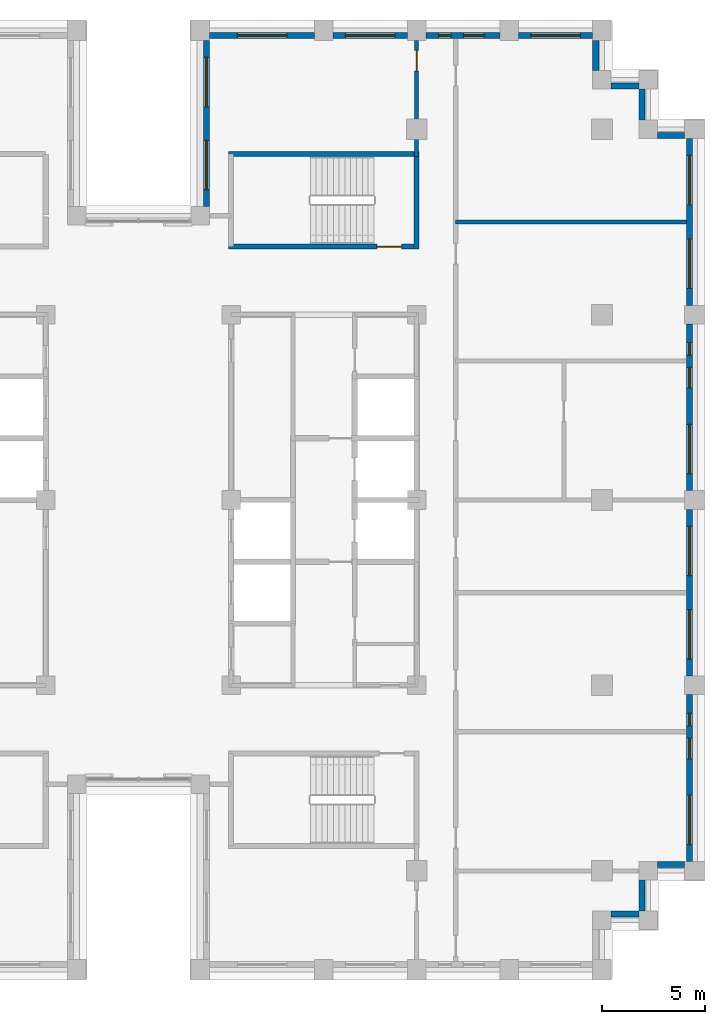
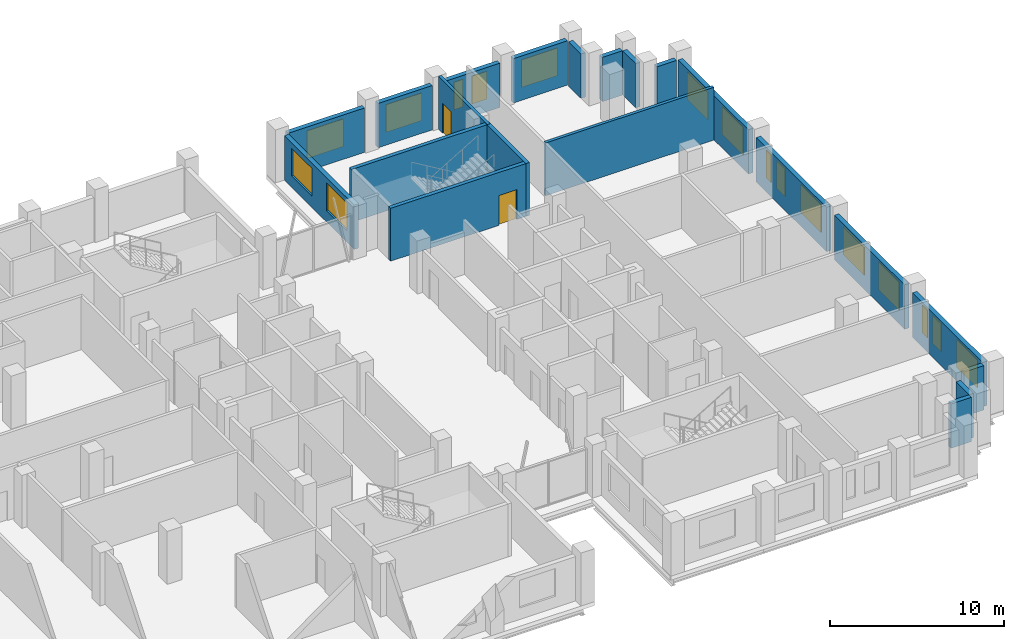
# One storey, part 11 of 15: 21 walls, 17 windows, 2 doors, 19 openings.
"""IFC4 building model written with IfcOpenShell, lengths in metres."""

from ifc_helpers import new_model, si_unit, direction, frame, frame_2d, origin, place, context, subcontext, project, spatial, rectangle, extrude, material, layer, layer_set, type_object, element, fill, save


model = new_model("IFC4")

# Units and contexts
model_context = context("Model", 3, precision=1e-05, world=origin(), true_north=direction((0.0, 1.0)))
body_context = subcontext(model_context, "Body", "Model", "MODEL_VIEW")
ifc_project = project(units=[si_unit("LENGTHUNIT", "METRE"), si_unit("AREAUNIT", "SQUARE_METRE"), si_unit("VOLUMEUNIT", "CUBIC_METRE"), si_unit("PLANEANGLEUNIT", "RADIAN"), si_unit("MASSUNIT", "GRAM", prefix="KILO")], contexts=[model_context])

# Site, building, storey
site_placement = place(None, origin())
site = spatial("IfcSite", under=ifc_project, at=site_placement, CompositionType="ELEMENT")
building_placement = place(site_placement, origin())
building = spatial("IfcBuilding", under=site, at=building_placement, Name="Corbelhall Arena Tower", CompositionType="ELEMENT")
storey_placement = place(building_placement, frame((0.0, 0.0, 228.0)))
storey = spatial("IfcBuildingStorey", under=building, at=storey_placement, Name="L48", CompositionType="ELEMENT", Elevation=228.0)

# Walls
ifc_material_1 = material(Name="Precast concrete C40/50 with granite facing", Category="masonry")
ifc_layer_1 = layer(ifc_material_1, 0.300048828125)
ifc_layer_set_1 = layer_set([ifc_layer_1], Name="EV-IW1 Infill panel 300")
wall_type_1 = type_object("IfcWallType", Name="EV-IW1 Infill panel 300", PredefinedType="SOLIDWALL", material=ifc_layer_set_1)
wall_1_placement = place(storey_placement, frame((22.949951171875, -20.10009765625, 0.0), z_axis=(0.0, 0.0, 1.0), x_axis=(1.0, 0.0, 0.0)))
element("IfcWall", 1, at=wall_1_placement, inside=storey, type_object=wall_type_1, Name="Infill panel IW1", PredefinedType="SOLIDWALL", context=body_context, shape_type="SweptSolid", body=[
    extrude(rectangle(XDim=1.35009765625, YDim=0.300048828125, at=frame_2d((0.675048828125, 0.0))), origin(), (0.0, 0.0, 1.0), 3.1201171875),
])
wall_2_placement = place(storey_placement, frame((24.449951171875, -19.949951171875, 0.0), z_axis=(0.0, 0.0, 1.0), x_axis=(0.0, 1.0, 0.0)))
element("IfcWall", 2, at=wall_2_placement, inside=storey, type_object=wall_type_1, Name="Infill panel IW1", PredefinedType="SOLIDWALL", context=body_context, shape_type="SweptSolid", body=[
    extrude(rectangle(XDim=1.5, YDim=0.300048828125, at=frame_2d((0.75, 0.0))), origin(), (0.0, 0.0, 1.0), 3.1201171875),
])
wall_3_placement = place(storey_placement, frame((25.199951171875, -17.699951171875, 0.0), z_axis=(0.0, 0.0, 1.0), x_axis=(1.0, 0.0, 0.0)))
element("IfcWall", 3, at=wall_3_placement, inside=storey, type_object=wall_type_1, Name="Infill panel IW1", PredefinedType="SOLIDWALL", context=body_context, shape_type="SweptSolid", body=[
    extrude(rectangle(XDim=1.300048828125, YDim=0.300048828125, at=frame_2d((0.64990234375, 0.0))), origin(), (0.0, 0.0, 1.0), 3.1201171875),
])

# Wall, openings, windows
wall_4_placement = place(storey_placement, frame((26.75, -17.550048828125, 0.0), z_axis=(0.0, 0.0, 1.0), x_axis=(0.0, 1.0, 0.0)))
wall_4 = element("IfcWall", 4, at=wall_4_placement, inside=storey, type_object=wall_type_1, Name="Infill panel IW1", PredefinedType="SOLIDWALL", context=body_context, shape_type="SweptSolid", body=[
    extrude(rectangle(XDim=8.10009765625, YDim=0.300048828125, at=frame_2d((4.050048828125, 0.0))), origin(), (0.0, 0.0, 1.0), 3.1201171875),
])
opening_1_placement = place(wall_4_placement, frame((0.824951171875, 0.0, 0.800048828125)))
opening_1 = element("IfcOpeningElement", 5, at=opening_1_placement, cuts=wall_4, Name="Opening WN1", PredefinedType="OPENING", context=body_context, shape_type="SweptSolid", body=[
    extrude(rectangle(XDim=2.39990234375, YDim=1.949951171875, at=frame_2d((1.199951171875, 0.97509765625))), frame((0.0, 0.14990234375, 0.0), z_axis=(0.0, -1.0, 0.0), x_axis=(1.0, 0.0, 0.0)), (0.0, 0.0, 1.0), 0.300048828125),
])
opening_2_placement = place(wall_4_placement, frame((4.987548828125, 0.0, 0.800048828125)))
opening_2 = element("IfcOpeningElement", 6, at=opening_2_placement, cuts=wall_4, Name="Opening WN6", PredefinedType="OPENING", context=body_context, shape_type="SweptSolid", body=[
    extrude(rectangle(XDim=1.0, YDim=1.949951171875, at=frame_2d((0.5, 0.97509765625))), frame((0.0, 0.14990234375, 0.0), z_axis=(0.0, -1.0, 0.0), x_axis=(1.0, 0.0, 0.0)), (0.0, 0.0, 1.0), 0.300048828125),
])
opening_3_placement = place(wall_4_placement, frame((6.58740234375, 0.0, 0.800048828125)))
opening_3 = element("IfcOpeningElement", 7, at=opening_3_placement, cuts=wall_4, Name="Opening WN5", PredefinedType="OPENING", context=body_context, shape_type="SweptSolid", body=[
    extrude(rectangle(XDim=0.60009765625, YDim=1.949951171875, at=frame_2d((0.300048828125, 0.97509765625))), frame((0.0, 0.14990234375, 0.0), z_axis=(0.0, -1.0, 0.0), x_axis=(1.0, 0.0, 0.0)), (0.0, 0.0, 1.0), 0.300048828125),
])
ifc_material_2 = material(Name="Aluminium black anodised", Category="aluminium")
window_type_1 = type_object("IfcWindowType", Name="EV-WN1 Office window", PartitioningType="SINGLE_PANEL", PredefinedType="WINDOW", material=ifc_material_2)
window_1_placement = place(opening_1_placement, origin())
window_1 = element("IfcWindow", 8, at=window_1_placement, inside=storey, type_object=window_type_1, Name="Window WN1", OverallHeight=1.949951171875, OverallWidth=2.39990234375, PartitioningType="SINGLE_PANEL", PredefinedType="WINDOW", context=body_context, shape_type="SweptSolid", body=[
    extrude(rectangle(XDim=2.39990234375, YDim=1.949951171875, at=frame_2d((1.199951171875, 0.97509765625))), frame((0.0, 0.030029296875, 0.0), z_axis=(0.0, -1.0, 0.0), x_axis=(1.0, 0.0, 0.0)), (0.0, 0.0, 1.0), 0.06005859375),
])
fill(opening_1, window_1)
window_type_2 = type_object("IfcWindowType", Name="EV-WN5 Office window 600", PartitioningType="SINGLE_PANEL", PredefinedType="WINDOW", material=ifc_material_2)
window_2_placement = place(opening_3_placement, origin())
window_2 = element("IfcWindow", 9, at=window_2_placement, inside=storey, type_object=window_type_2, Name="Window WN5", OverallHeight=1.949951171875, OverallWidth=0.60009765625, PartitioningType="SINGLE_PANEL", PredefinedType="WINDOW", context=body_context, shape_type="SweptSolid", body=[
    extrude(rectangle(XDim=0.60009765625, YDim=1.949951171875, at=frame_2d((0.300048828125, 0.97509765625))), frame((0.0, 0.030029296875, 0.0), z_axis=(0.0, -1.0, 0.0), x_axis=(1.0, 0.0, 0.0)), (0.0, 0.0, 1.0), 0.06005859375),
])
fill(opening_3, window_2)
window_type_3 = type_object("IfcWindowType", Name="EV-WN6 Office window 1000", PartitioningType="SINGLE_PANEL", PredefinedType="WINDOW", material=ifc_material_2)
window_3_placement = place(opening_2_placement, origin())
window_3 = element("IfcWindow", 10, at=window_3_placement, inside=storey, type_object=window_type_3, Name="Window WN6", OverallHeight=1.949951171875, OverallWidth=1.0, PartitioningType="SINGLE_PANEL", PredefinedType="WINDOW", context=body_context, shape_type="SweptSolid", body=[
    extrude(rectangle(XDim=1.0, YDim=1.949951171875, at=frame_2d((0.5, 0.97509765625))), frame((0.0, 0.030029296875, 0.0), z_axis=(0.0, -1.0, 0.0), x_axis=(1.0, 0.0, 0.0)), (0.0, 0.0, 1.0), 0.06005859375),
])
fill(opening_2, window_3)

wall_5_placement = place(storey_placement, frame((26.75, -8.550048828125, 0.0), z_axis=(0.0, 0.0, 1.0), x_axis=(0.0, 1.0, 0.0)))
wall_5 = element("IfcWall", 11, at=wall_5_placement, inside=storey, type_object=wall_type_1, Name="Infill panel IW1", PredefinedType="SOLIDWALL", context=body_context, shape_type="SweptSolid", body=[
    extrude(rectangle(XDim=8.10009765625, YDim=0.300048828125, at=frame_2d((4.050048828125, 0.0))), origin(), (0.0, 0.0, 1.0), 3.1201171875),
])
opening_4_placement = place(wall_5_placement, frame((0.824951171875, 0.0, 0.800048828125)))
opening_4 = element("IfcOpeningElement", 12, at=opening_4_placement, cuts=wall_5, Name="Opening WN1", PredefinedType="OPENING", context=body_context, shape_type="SweptSolid", body=[
    extrude(rectangle(XDim=2.39990234375, YDim=1.949951171875, at=frame_2d((1.199951171875, 0.97509765625))), frame((0.0, 0.14990234375, 0.0), z_axis=(0.0, -1.0, 0.0), x_axis=(1.0, 0.0, 0.0)), (0.0, 0.0, 1.0), 0.300048828125),
])
opening_5_placement = place(wall_5_placement, frame((4.875, 0.0, 0.800048828125)))
opening_5 = element("IfcOpeningElement", 13, at=opening_5_placement, cuts=wall_5, Name="Opening WN1", PredefinedType="OPENING", context=body_context, shape_type="SweptSolid", body=[
    extrude(rectangle(XDim=2.39990234375, YDim=1.949951171875, at=frame_2d((1.199951171875, 0.97509765625))), frame((0.0, 0.14990234375, 0.0), z_axis=(0.0, -1.0, 0.0), x_axis=(1.0, 0.0, 0.0)), (0.0, 0.0, 1.0), 0.300048828125),
])
window_4_placement = place(opening_4_placement, origin())
window_4 = element("IfcWindow", 14, at=window_4_placement, inside=storey, type_object=window_type_1, Name="Window WN1", OverallHeight=1.949951171875, OverallWidth=2.39990234375, PartitioningType="SINGLE_PANEL", PredefinedType="WINDOW", context=body_context, shape_type="SweptSolid", body=[
    extrude(rectangle(XDim=2.39990234375, YDim=1.949951171875, at=frame_2d((1.199951171875, 0.97509765625))), frame((0.0, 0.030029296875, 0.0), z_axis=(0.0, -1.0, 0.0), x_axis=(1.0, 0.0, 0.0)), (0.0, 0.0, 1.0), 0.06005859375),
])
fill(opening_4, window_4)
window_5_placement = place(opening_5_placement, origin())
window_5 = element("IfcWindow", 15, at=window_5_placement, inside=storey, type_object=window_type_1, Name="Window WN1", OverallHeight=1.949951171875, OverallWidth=2.39990234375, PartitioningType="SINGLE_PANEL", PredefinedType="WINDOW", context=body_context, shape_type="SweptSolid", body=[
    extrude(rectangle(XDim=2.39990234375, YDim=1.949951171875, at=frame_2d((1.199951171875, 0.97509765625))), frame((0.0, 0.030029296875, 0.0), z_axis=(0.0, -1.0, 0.0), x_axis=(1.0, 0.0, 0.0)), (0.0, 0.0, 1.0), 0.06005859375),
])
fill(opening_5, window_5)

wall_6_placement = place(storey_placement, frame((26.75, 0.449951171875, 0.0), z_axis=(0.0, 0.0, 1.0), x_axis=(0.0, 1.0, 0.0)))
wall_6 = element("IfcWall", 16, at=wall_6_placement, inside=storey, type_object=wall_type_1, Name="Infill panel IW1", PredefinedType="SOLIDWALL", context=body_context, shape_type="SweptSolid", body=[
    extrude(rectangle(XDim=8.10009765625, YDim=0.300048828125, at=frame_2d((4.050048828125, 0.0))), origin(), (0.0, 0.0, 1.0), 3.1201171875),
])
opening_6_placement = place(wall_6_placement, frame((0.824951171875, 0.0, 0.800048828125)))
opening_6 = element("IfcOpeningElement", 17, at=opening_6_placement, cuts=wall_6, Name="Opening WN1", PredefinedType="OPENING", context=body_context, shape_type="SweptSolid", body=[
    extrude(rectangle(XDim=2.39990234375, YDim=1.949951171875, at=frame_2d((1.199951171875, 0.97509765625))), frame((0.0, 0.14990234375, 0.0), z_axis=(0.0, -1.0, 0.0), x_axis=(1.0, 0.0, 0.0)), (0.0, 0.0, 1.0), 0.300048828125),
])
opening_7_placement = place(wall_6_placement, frame((4.987548828125, 0.0, 0.800048828125)))
opening_7 = element("IfcOpeningElement", 18, at=opening_7_placement, cuts=wall_6, Name="Opening WN6", PredefinedType="OPENING", context=body_context, shape_type="SweptSolid", body=[
    extrude(rectangle(XDim=1.0, YDim=1.949951171875, at=frame_2d((0.5, 0.97509765625))), frame((0.0, 0.14990234375, 0.0), z_axis=(0.0, -1.0, 0.0), x_axis=(1.0, 0.0, 0.0)), (0.0, 0.0, 1.0), 0.300048828125),
])
opening_8_placement = place(wall_6_placement, frame((6.58740234375, 0.0, 0.800048828125)))
opening_8 = element("IfcOpeningElement", 19, at=opening_8_placement, cuts=wall_6, Name="Opening WN5", PredefinedType="OPENING", context=body_context, shape_type="SweptSolid", body=[
    extrude(rectangle(XDim=0.60009765625, YDim=1.949951171875, at=frame_2d((0.300048828125, 0.97509765625))), frame((0.0, 0.14990234375, 0.0), z_axis=(0.0, -1.0, 0.0), x_axis=(1.0, 0.0, 0.0)), (0.0, 0.0, 1.0), 0.300048828125),
])
window_6_placement = place(opening_6_placement, origin())
window_6 = element("IfcWindow", 20, at=window_6_placement, inside=storey, type_object=window_type_1, Name="Window WN1", OverallHeight=1.949951171875, OverallWidth=2.39990234375, PartitioningType="SINGLE_PANEL", PredefinedType="WINDOW", context=body_context, shape_type="SweptSolid", body=[
    extrude(rectangle(XDim=2.39990234375, YDim=1.949951171875, at=frame_2d((1.199951171875, 0.97509765625))), frame((0.0, 0.030029296875, 0.0), z_axis=(0.0, -1.0, 0.0), x_axis=(1.0, 0.0, 0.0)), (0.0, 0.0, 1.0), 0.06005859375),
])
fill(opening_6, window_6)
window_7_placement = place(opening_8_placement, origin())
window_7 = element("IfcWindow", 21, at=window_7_placement, inside=storey, type_object=window_type_2, Name="Window WN5", OverallHeight=1.949951171875, OverallWidth=0.60009765625, PartitioningType="SINGLE_PANEL", PredefinedType="WINDOW", context=body_context, shape_type="SweptSolid", body=[
    extrude(rectangle(XDim=0.60009765625, YDim=1.949951171875, at=frame_2d((0.300048828125, 0.97509765625))), frame((0.0, 0.030029296875, 0.0), z_axis=(0.0, -1.0, 0.0), x_axis=(1.0, 0.0, 0.0)), (0.0, 0.0, 1.0), 0.06005859375),
])
fill(opening_8, window_7)
window_8_placement = place(opening_7_placement, origin())
window_8 = element("IfcWindow", 22, at=window_8_placement, inside=storey, type_object=window_type_3, Name="Window WN6", OverallHeight=1.949951171875, OverallWidth=1.0, PartitioningType="SINGLE_PANEL", PredefinedType="WINDOW", context=body_context, shape_type="SweptSolid", body=[
    extrude(rectangle(XDim=1.0, YDim=1.949951171875, at=frame_2d((0.5, 0.97509765625))), frame((0.0, 0.030029296875, 0.0), z_axis=(0.0, -1.0, 0.0), x_axis=(1.0, 0.0, 0.0)), (0.0, 0.0, 1.0), 0.06005859375),
])
fill(opening_7, window_8)

wall_7_placement = place(storey_placement, frame((26.75, 9.449951171875, 0.0), z_axis=(0.0, 0.0, 1.0), x_axis=(0.0, 1.0, 0.0)))
wall_7 = element("IfcWall", 23, at=wall_7_placement, inside=storey, type_object=wall_type_1, Name="Infill panel IW1", PredefinedType="SOLIDWALL", context=body_context, shape_type="SweptSolid", body=[
    extrude(rectangle(XDim=8.10009765625, YDim=0.300048828125, at=frame_2d((4.050048828125, 0.0))), origin(), (0.0, 0.0, 1.0), 3.1201171875),
])
opening_9_placement = place(wall_7_placement, frame((0.824951171875, 0.0, 0.800048828125)))
opening_9 = element("IfcOpeningElement", 24, at=opening_9_placement, cuts=wall_7, Name="Opening WN1", PredefinedType="OPENING", context=body_context, shape_type="SweptSolid", body=[
    extrude(rectangle(XDim=2.39990234375, YDim=1.949951171875, at=frame_2d((1.199951171875, 0.97509765625))), frame((0.0, 0.14990234375, 0.0), z_axis=(0.0, -1.0, 0.0), x_axis=(1.0, 0.0, 0.0)), (0.0, 0.0, 1.0), 0.300048828125),
])
opening_10_placement = place(wall_7_placement, frame((4.875, 0.0, 0.800048828125)))
opening_10 = element("IfcOpeningElement", 25, at=opening_10_placement, cuts=wall_7, Name="Opening WN1", PredefinedType="OPENING", context=body_context, shape_type="SweptSolid", body=[
    extrude(rectangle(XDim=2.39990234375, YDim=1.949951171875, at=frame_2d((1.199951171875, 0.97509765625))), frame((0.0, 0.14990234375, 0.0), z_axis=(0.0, -1.0, 0.0), x_axis=(1.0, 0.0, 0.0)), (0.0, 0.0, 1.0), 0.300048828125),
])
window_9_placement = place(opening_9_placement, origin())
window_9 = element("IfcWindow", 26, at=window_9_placement, inside=storey, type_object=window_type_1, Name="Window WN1", OverallHeight=1.949951171875, OverallWidth=2.39990234375, PartitioningType="SINGLE_PANEL", PredefinedType="WINDOW", context=body_context, shape_type="SweptSolid", body=[
    extrude(rectangle(XDim=2.39990234375, YDim=1.949951171875, at=frame_2d((1.199951171875, 0.97509765625))), frame((0.0, 0.030029296875, 0.0), z_axis=(0.0, -1.0, 0.0), x_axis=(1.0, 0.0, 0.0)), (0.0, 0.0, 1.0), 0.06005859375),
])
fill(opening_9, window_9)
window_10_placement = place(opening_10_placement, origin())
window_10 = element("IfcWindow", 27, at=window_10_placement, inside=storey, type_object=window_type_1, Name="Window WN1", OverallHeight=1.949951171875, OverallWidth=2.39990234375, PartitioningType="SINGLE_PANEL", PredefinedType="WINDOW", context=body_context, shape_type="SweptSolid", body=[
    extrude(rectangle(XDim=2.39990234375, YDim=1.949951171875, at=frame_2d((1.199951171875, 0.97509765625))), frame((0.0, 0.030029296875, 0.0), z_axis=(0.0, -1.0, 0.0), x_axis=(1.0, 0.0, 0.0)), (0.0, 0.0, 1.0), 0.06005859375),
])
fill(opening_10, window_10)

# Walls
wall_8_placement = place(storey_placement, frame((26.5, 17.699951171875, 0.0), z_axis=(0.0, 0.0, 1.0), x_axis=(-1.0, 0.0, 0.0)))
element("IfcWall", 28, at=wall_8_placement, inside=storey, type_object=wall_type_1, Name="Infill panel IW1", PredefinedType="SOLIDWALL", context=body_context, shape_type="SweptSolid", body=[
    extrude(rectangle(XDim=1.300048828125, YDim=0.300048828125, at=frame_2d((0.64990234375, 0.0))), origin(), (0.0, 0.0, 1.0), 3.1201171875),
])
wall_9_placement = place(storey_placement, frame((24.449951171875, 18.449951171875, 0.0), z_axis=(0.0, 0.0, 1.0), x_axis=(0.0, 1.0, 0.0)))
element("IfcWall", 29, at=wall_9_placement, inside=storey, type_object=wall_type_1, Name="Infill panel IW1", PredefinedType="SOLIDWALL", context=body_context, shape_type="SweptSolid", body=[
    extrude(rectangle(XDim=1.5, YDim=0.300048828125, at=frame_2d((0.75, 0.0))), origin(), (0.0, 0.0, 1.0), 3.1201171875),
])
wall_10_placement = place(storey_placement, frame((24.300048828125, 20.10009765625, 0.0), z_axis=(0.0, 0.0, 1.0), x_axis=(-1.0, 0.0, 0.0)))
element("IfcWall", 30, at=wall_10_placement, inside=storey, type_object=wall_type_1, Name="Infill panel IW1", PredefinedType="SOLIDWALL", context=body_context, shape_type="SweptSolid", body=[
    extrude(rectangle(XDim=1.35009765625, YDim=0.300048828125, at=frame_2d((0.675048828125, 0.0))), origin(), (0.0, 0.0, 1.0), 3.1201171875),
])
wall_11_placement = place(storey_placement, frame((22.199951171875, 20.85009765625, 0.0), z_axis=(0.0, 0.0, 1.0), x_axis=(0.0, 1.0, 0.0)))
element("IfcWall", 31, at=wall_11_placement, inside=storey, type_object=wall_type_1, Name="Infill panel IW1", PredefinedType="SOLIDWALL", context=body_context, shape_type="SweptSolid", body=[
    extrude(rectangle(XDim=1.449951171875, YDim=0.300048828125, at=frame_2d((0.72509765625, 0.0))), origin(), (0.0, 0.0, 1.0), 3.1201171875),
])

# Wall, opening, window
wall_12_placement = place(storey_placement, frame((22.050048828125, 22.550048828125, 0.0), z_axis=(0.0, 0.0, 1.0), x_axis=(-1.0, 0.0, 0.0)))
wall_12 = element("IfcWall", 32, at=wall_12_placement, inside=storey, type_object=wall_type_1, Name="Infill panel IW1", PredefinedType="SOLIDWALL", context=body_context, shape_type="SweptSolid", body=[
    extrude(rectangle(XDim=3.60009765625, YDim=0.300048828125, at=frame_2d((1.800048828125, 0.0))), origin(), (0.0, 0.0, 1.0), 3.1201171875),
])
opening_11_placement = place(wall_12_placement, frame((0.60009765625, 0.0, 0.800048828125)))
opening_11 = element("IfcOpeningElement", 33, at=opening_11_placement, cuts=wall_12, Name="Opening WN1", PredefinedType="OPENING", context=body_context, shape_type="SweptSolid", body=[
    extrude(rectangle(XDim=2.39990234375, YDim=1.949951171875, at=frame_2d((1.199951171875, 0.97509765625))), frame((0.0, 0.14990234375, 0.0), z_axis=(0.0, -1.0, 0.0), x_axis=(1.0, 0.0, 0.0)), (0.0, 0.0, 1.0), 0.300048828125),
])
window_11_placement = place(opening_11_placement, origin())
window_11 = element("IfcWindow", 34, at=window_11_placement, inside=storey, type_object=window_type_1, Name="Window WN1", OverallHeight=1.949951171875, OverallWidth=2.39990234375, PartitioningType="SINGLE_PANEL", PredefinedType="WINDOW", context=body_context, shape_type="SweptSolid", body=[
    extrude(rectangle(XDim=2.39990234375, YDim=1.949951171875, at=frame_2d((1.199951171875, 0.97509765625))), frame((0.0, 0.030029296875, 0.0), z_axis=(0.0, -1.0, 0.0), x_axis=(1.0, 0.0, 0.0)), (0.0, 0.0, 1.0), 0.06005859375),
])
fill(opening_11, window_11)

# Wall, openings, windows
wall_13_placement = place(storey_placement, frame((17.550048828125, 22.550048828125, 0.0), z_axis=(0.0, 0.0, 1.0), x_axis=(-1.0, 0.0, 0.0)))
wall_13 = element("IfcWall", 35, at=wall_13_placement, inside=storey, type_object=wall_type_1, Name="Infill panel IW1", PredefinedType="SOLIDWALL", context=body_context, shape_type="SweptSolid", body=[
    extrude(rectangle(XDim=3.60009765625, YDim=0.300048828125, at=frame_2d((1.800048828125, 0.0))), origin(), (0.0, 0.0, 1.0), 3.1201171875),
])
opening_12_placement = place(wall_13_placement, frame((0.77490234375, 0.0, 0.800048828125)))
opening_12 = element("IfcOpeningElement", 36, at=opening_12_placement, cuts=wall_13, Name="Opening WN6", PredefinedType="OPENING", context=body_context, shape_type="SweptSolid", body=[
    extrude(rectangle(XDim=1.0, YDim=1.949951171875, at=frame_2d((0.5, 0.97509765625))), frame((0.0, 0.14990234375, 0.0), z_axis=(0.0, -1.0, 0.0), x_axis=(1.0, 0.0, 0.0)), (0.0, 0.0, 1.0), 0.300048828125),
])
opening_13_placement = place(wall_13_placement, frame((2.375, 0.0, 0.800048828125)))
opening_13 = element("IfcOpeningElement", 37, at=opening_13_placement, cuts=wall_13, Name="Opening WN5", PredefinedType="OPENING", context=body_context, shape_type="SweptSolid", body=[
    extrude(rectangle(XDim=0.60009765625, YDim=1.949951171875, at=frame_2d((0.300048828125, 0.97509765625))), frame((0.0, 0.14990234375, 0.0), z_axis=(0.0, -1.0, 0.0), x_axis=(1.0, 0.0, 0.0)), (0.0, 0.0, 1.0), 0.300048828125),
])
window_12_placement = place(opening_13_placement, origin())
window_12 = element("IfcWindow", 38, at=window_12_placement, inside=storey, type_object=window_type_2, Name="Window WN5", OverallHeight=1.949951171875, OverallWidth=0.60009765625, PartitioningType="SINGLE_PANEL", PredefinedType="WINDOW", context=body_context, shape_type="SweptSolid", body=[
    extrude(rectangle(XDim=0.60009765625, YDim=1.949951171875, at=frame_2d((0.300048828125, 0.97509765625))), frame((0.0, 0.030029296875, 0.0), z_axis=(0.0, -1.0, 0.0), x_axis=(1.0, 0.0, 0.0)), (0.0, 0.0, 1.0), 0.06005859375),
])
fill(opening_13, window_12)
window_13_placement = place(opening_12_placement, origin())
window_13 = element("IfcWindow", 39, at=window_13_placement, inside=storey, type_object=window_type_3, Name="Window WN6", OverallHeight=1.949951171875, OverallWidth=1.0, PartitioningType="SINGLE_PANEL", PredefinedType="WINDOW", context=body_context, shape_type="SweptSolid", body=[
    extrude(rectangle(XDim=1.0, YDim=1.949951171875, at=frame_2d((0.5, 0.97509765625))), frame((0.0, 0.030029296875, 0.0), z_axis=(0.0, -1.0, 0.0), x_axis=(1.0, 0.0, 0.0)), (0.0, 0.0, 1.0), 0.06005859375),
])
fill(opening_12, window_13)

# Wall, opening, window
wall_14_placement = place(storey_placement, frame((13.050048828125, 22.550048828125, 0.0), z_axis=(0.0, 0.0, 1.0), x_axis=(-1.0, 0.0, 0.0)))
wall_14 = element("IfcWall", 40, at=wall_14_placement, inside=storey, type_object=wall_type_1, Name="Infill panel IW1", PredefinedType="SOLIDWALL", context=body_context, shape_type="SweptSolid", body=[
    extrude(rectangle(XDim=3.60009765625, YDim=0.300048828125, at=frame_2d((1.800048828125, 0.0))), origin(), (0.0, 0.0, 1.0), 3.1201171875),
])
opening_14_placement = place(wall_14_placement, frame((0.60009765625, 0.0, 0.800048828125)))
opening_14 = element("IfcOpeningElement", 41, at=opening_14_placement, cuts=wall_14, Name="Opening WN1", PredefinedType="OPENING", context=body_context, shape_type="SweptSolid", body=[
    extrude(rectangle(XDim=2.39990234375, YDim=1.949951171875, at=frame_2d((1.199951171875, 0.97509765625))), frame((0.0, 0.14990234375, 0.0), z_axis=(0.0, -1.0, 0.0), x_axis=(1.0, 0.0, 0.0)), (0.0, 0.0, 1.0), 0.300048828125),
])
window_14_placement = place(opening_14_placement, origin())
window_14 = element("IfcWindow", 42, at=window_14_placement, inside=storey, type_object=window_type_1, Name="Window WN1", OverallHeight=1.949951171875, OverallWidth=2.39990234375, PartitioningType="SINGLE_PANEL", PredefinedType="WINDOW", context=body_context, shape_type="SweptSolid", body=[
    extrude(rectangle(XDim=2.39990234375, YDim=1.949951171875, at=frame_2d((1.199951171875, 0.97509765625))), frame((0.0, 0.030029296875, 0.0), z_axis=(0.0, -1.0, 0.0), x_axis=(1.0, 0.0, 0.0)), (0.0, 0.0, 1.0), 0.06005859375),
])
fill(opening_14, window_14)

wall_15_placement = place(storey_placement, frame((8.550048828125, 22.550048828125, 0.0), z_axis=(0.0, 0.0, 1.0), x_axis=(-1.0, 0.0, 0.0)))
wall_15 = element("IfcWall", 43, at=wall_15_placement, inside=storey, type_object=wall_type_1, Name="Infill panel IW1", PredefinedType="SOLIDWALL", context=body_context, shape_type="SweptSolid", body=[
    extrude(rectangle(XDim=5.10009765625, YDim=0.300048828125, at=frame_2d((2.550048828125, 0.0))), origin(), (0.0, 0.0, 1.0), 3.1201171875),
])
opening_15_placement = place(wall_15_placement, frame((1.35009765625, 0.0, 0.800048828125)))
opening_15 = element("IfcOpeningElement", 44, at=opening_15_placement, cuts=wall_15, Name="Opening WN1", PredefinedType="OPENING", context=body_context, shape_type="SweptSolid", body=[
    extrude(rectangle(XDim=2.39990234375, YDim=1.949951171875, at=frame_2d((1.199951171875, 0.97509765625))), frame((0.0, 0.14990234375, 0.0), z_axis=(0.0, -1.0, 0.0), x_axis=(1.0, 0.0, 0.0)), (0.0, 0.0, 1.0), 0.300048828125),
])
window_15_placement = place(opening_15_placement, origin())
window_15 = element("IfcWindow", 45, at=window_15_placement, inside=storey, type_object=window_type_1, Name="Window WN1", OverallHeight=1.949951171875, OverallWidth=2.39990234375, PartitioningType="SINGLE_PANEL", PredefinedType="WINDOW", context=body_context, shape_type="SweptSolid", body=[
    extrude(rectangle(XDim=2.39990234375, YDim=1.949951171875, at=frame_2d((1.199951171875, 0.97509765625))), frame((0.0, 0.030029296875, 0.0), z_axis=(0.0, -1.0, 0.0), x_axis=(1.0, 0.0, 0.0)), (0.0, 0.0, 1.0), 0.06005859375),
])
fill(opening_15, window_15)

# Wall, openings, windows
wall_16_placement = place(storey_placement, frame((3.300048828125, 22.300048828125, 0.0), z_axis=(0.0, 0.0, 1.0), x_axis=(0.0, -1.0, 0.0)))
wall_16 = element("IfcWall", 46, at=wall_16_placement, inside=storey, type_object=wall_type_1, Name="Infill panel IW1", PredefinedType="SOLIDWALL", context=body_context, shape_type="SweptSolid", body=[
    extrude(rectangle(XDim=8.050048828125, YDim=0.300048828125, at=frame_2d((4.02490234375, 0.0))), origin(), (0.0, 0.0, 1.0), 3.1201171875),
])
opening_16_placement = place(wall_16_placement, frame((0.8125, 0.0, 0.800048828125)))
opening_16 = element("IfcOpeningElement", 47, at=opening_16_placement, cuts=wall_16, Name="Opening WN1", PredefinedType="OPENING", context=body_context, shape_type="SweptSolid", body=[
    extrude(rectangle(XDim=2.39990234375, YDim=1.949951171875, at=frame_2d((1.199951171875, 0.97509765625))), frame((0.0, 0.14990234375, 0.0), z_axis=(0.0, -1.0, 0.0), x_axis=(1.0, 0.0, 0.0)), (0.0, 0.0, 1.0), 0.300048828125),
])
opening_17_placement = place(wall_16_placement, frame((4.83740234375, 0.0, 0.800048828125)))
opening_17 = element("IfcOpeningElement", 48, at=opening_17_placement, cuts=wall_16, Name="Opening WN1", PredefinedType="OPENING", context=body_context, shape_type="SweptSolid", body=[
    extrude(rectangle(XDim=2.39990234375, YDim=1.949951171875, at=frame_2d((1.199951171875, 0.97509765625))), frame((0.0, 0.14990234375, 0.0), z_axis=(0.0, -1.0, 0.0), x_axis=(1.0, 0.0, 0.0)), (0.0, 0.0, 1.0), 0.300048828125),
])
window_16_placement = place(opening_16_placement, origin())
window_16 = element("IfcWindow", 49, at=window_16_placement, inside=storey, type_object=window_type_1, Name="Window WN1", OverallHeight=1.949951171875, OverallWidth=2.39990234375, PartitioningType="SINGLE_PANEL", PredefinedType="WINDOW", context=body_context, shape_type="SweptSolid", body=[
    extrude(rectangle(XDim=2.39990234375, YDim=1.949951171875, at=frame_2d((1.199951171875, 0.97509765625))), frame((0.0, 0.030029296875, 0.0), z_axis=(0.0, -1.0, 0.0), x_axis=(1.0, 0.0, 0.0)), (0.0, 0.0, 1.0), 0.06005859375),
])
fill(opening_16, window_16)
window_17_placement = place(opening_17_placement, origin())
window_17 = element("IfcWindow", 50, at=window_17_placement, inside=storey, type_object=window_type_1, Name="Window WN1", OverallHeight=1.949951171875, OverallWidth=2.39990234375, PartitioningType="SINGLE_PANEL", PredefinedType="WINDOW", context=body_context, shape_type="SweptSolid", body=[
    extrude(rectangle(XDim=2.39990234375, YDim=1.949951171875, at=frame_2d((1.199951171875, 0.97509765625))), frame((0.0, 0.030029296875, 0.0), z_axis=(0.0, -1.0, 0.0), x_axis=(1.0, 0.0, 0.0)), (0.0, 0.0, 1.0), 0.06005859375),
])
fill(opening_17, window_17)

# Wall, opening, door
ifc_material_3 = material(Name="Gypsum board on steel stud, acoustic", Category="steel")
ifc_layer_2 = layer(ifc_material_3, 0.199951171875)
ifc_layer_set_2 = layer_set([ifc_layer_2], Name="IN-W-DM200")
wall_type_2 = type_object("IfcWallType", Name="IN-W-DM200", PredefinedType="PARTITIONING", material=ifc_layer_set_2)
wall_17_placement = place(storey_placement, frame((13.5, 16.675048828125, 0.0), z_axis=(0.0, 0.0, 1.0), x_axis=(0.0, 1.0, 0.0)))
wall_17 = element("IfcWall", 51, at=wall_17_placement, inside=storey, type_object=wall_type_2, Name="Partition 025", PredefinedType="PARTITIONING", context=body_context, shape_type="SweptSolid", body=[
    extrude(rectangle(XDim=5.625, YDim=0.199951171875, at=frame_2d((2.8125, 0.0))), origin(), (0.0, 0.0, 1.0), 3.719970703125),
])
opening_18_placement = place(wall_17_placement, frame((4.14990234375, 0.0, 0.0)))
opening_18 = element("IfcOpeningElement", 52, at=opening_18_placement, cuts=wall_17, Name="Opening 15021", PredefinedType="OPENING", context=body_context, shape_type="SweptSolid", body=[
    extrude(rectangle(XDim=1.0, YDim=2.10009765625, at=frame_2d((0.5, 1.050048828125))), frame((0.0, 0.10009765625, 0.0), z_axis=(0.0, -1.0, 0.0), x_axis=(1.0, 0.0, 0.0)), (0.0, 0.0, 1.0), 0.199951171875),
])
ifc_material_4 = material(Name="Steel door set", Category="steel")
door_type_1 = type_object("IfcDoorType", Name="IN-D-SW100", OperationType="NOTDEFINED", PredefinedType="DOOR", material=ifc_material_4)
door_1_placement = place(opening_18_placement, origin())
door_1 = element("IfcDoor", 53, at=door_1_placement, inside=storey, type_object=door_type_1, Name="Door 021", OperationType="SINGLE_SWING_RIGHT", OverallHeight=2.10009765625, OverallWidth=1.0, PredefinedType="DOOR", context=body_context, shape_type="SweptSolid", body=[
    extrude(rectangle(XDim=1.0, YDim=2.10009765625, at=frame_2d((0.5, 1.050048828125))), frame((0.0, 0.02490234375, 0.0), z_axis=(0.0, -1.0, 0.0), x_axis=(1.0, 0.0, 0.0)), (0.0, 0.0, 1.0), 0.050048828125),
])
fill(opening_18, door_1)

# Wall
wall_18_placement = place(storey_placement, frame((15.39990234375, 13.5, 0.0), z_axis=(0.0, 0.0, 1.0), x_axis=(1.0, 0.0, 0.0)))
element("IfcWall", 54, at=wall_18_placement, inside=storey, type_object=wall_type_2, Name="Partition 031", PredefinedType="PARTITIONING", context=body_context, shape_type="SweptSolid", body=[
    extrude(rectangle(XDim=11.2001953125, YDim=0.199951171875, at=frame_2d((5.60009765625, 0.0))), origin(), (0.0, 0.0, 1.0), 3.719970703125),
])

# Wall, opening, door
ifc_material_5 = material(Name="Concrete C40/50", Category="concrete")
ifc_layer_3 = layer(ifc_material_5, 0.25)
ifc_layer_set_3 = layer_set([ifc_layer_3], Name="IN-W-ST250")
wall_type_3 = type_object("IfcWallType", Name="IN-W-ST250", PredefinedType="SOLIDWALL", material=ifc_layer_set_3)
wall_19_placement = place(storey_placement, frame((4.375, 12.300048828125, 0.0), z_axis=(0.0, 0.0, 1.0), x_axis=(1.0, 0.0, 0.0)))
wall_19 = element("IfcWall", 55, at=wall_19_placement, inside=storey, type_object=wall_type_3, Name="Shaft wall 088", PredefinedType="SOLIDWALL", context=body_context, shape_type="SweptSolid", body=[
    extrude(rectangle(XDim=9.125, YDim=0.25, at=frame_2d((4.5625, 0.0))), origin(), (0.0, 0.0, 1.0), 3.719970703125),
])
opening_19_placement = place(wall_19_placement, frame((7.199951171875, 0.0, 0.0)))
opening_19 = element("IfcOpeningElement", 56, at=opening_19_placement, cuts=wall_19, Name="Opening 15017", PredefinedType="OPENING", context=body_context, shape_type="SweptSolid", body=[
    extrude(rectangle(XDim=1.199951171875, YDim=2.10009765625, at=frame_2d((0.60009765625, 1.050048828125))), frame((0.0, 0.125, 0.0), z_axis=(0.0, -1.0, 0.0), x_axis=(1.0, 0.0, 0.0)), (0.0, 0.0, 1.0), 0.25),
])
door_type_2 = type_object("IfcDoorType", Name="IN-D-ST120", OperationType="NOTDEFINED", PredefinedType="DOOR", material=ifc_material_4)
door_2_placement = place(opening_19_placement, origin())
door_2 = element("IfcDoor", 57, at=door_2_placement, inside=storey, type_object=door_type_2, Name="Door 017", OperationType="SINGLE_SWING_RIGHT", OverallHeight=2.10009765625, OverallWidth=1.199951171875, PredefinedType="DOOR", context=body_context, shape_type="SweptSolid", body=[
    extrude(rectangle(XDim=1.199951171875, YDim=2.10009765625, at=frame_2d((0.60009765625, 1.050048828125))), frame((0.0, 0.02490234375, 0.0), z_axis=(0.0, -1.0, 0.0), x_axis=(1.0, 0.0, 0.0)), (0.0, 0.0, 1.0), 0.050048828125),
])
fill(opening_19, door_2)

# Walls
wall_20_placement = place(storey_placement, frame((4.375, 16.800048828125, 0.0), z_axis=(0.0, 0.0, 1.0), x_axis=(1.0, 0.0, 0.0)))
element("IfcWall", 58, at=wall_20_placement, inside=storey, type_object=wall_type_3, Name="Shaft wall 089", PredefinedType="SOLIDWALL", context=body_context, shape_type="SweptSolid", body=[
    extrude(rectangle(XDim=9.125, YDim=0.25, at=frame_2d((4.5625, 0.0))), origin(), (0.0, 0.0, 1.0), 3.719970703125),
])
wall_21_placement = place(storey_placement, frame((13.5, 12.175048828125, 0.0), z_axis=(0.0, 0.0, 1.0), x_axis=(0.0, 1.0, 0.0)))
element("IfcWall", 59, at=wall_21_placement, inside=storey, type_object=wall_type_3, Name="Shaft wall 095", PredefinedType="SOLIDWALL", context=body_context, shape_type="SweptSolid", body=[
    extrude(rectangle(XDim=4.75, YDim=0.25, at=frame_2d((2.375, 0.0))), origin(), (0.0, 0.0, 1.0), 3.719970703125),
])

save(model, "model.ifc")
